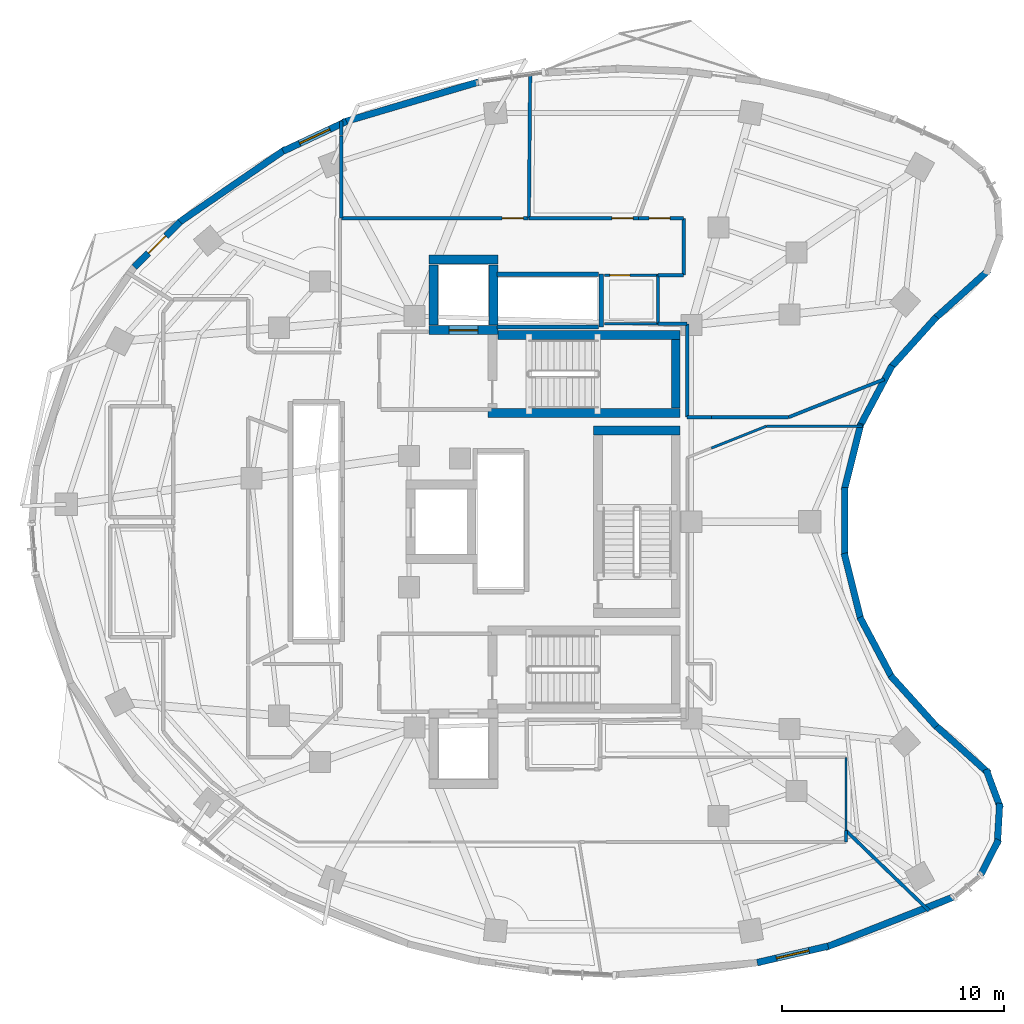
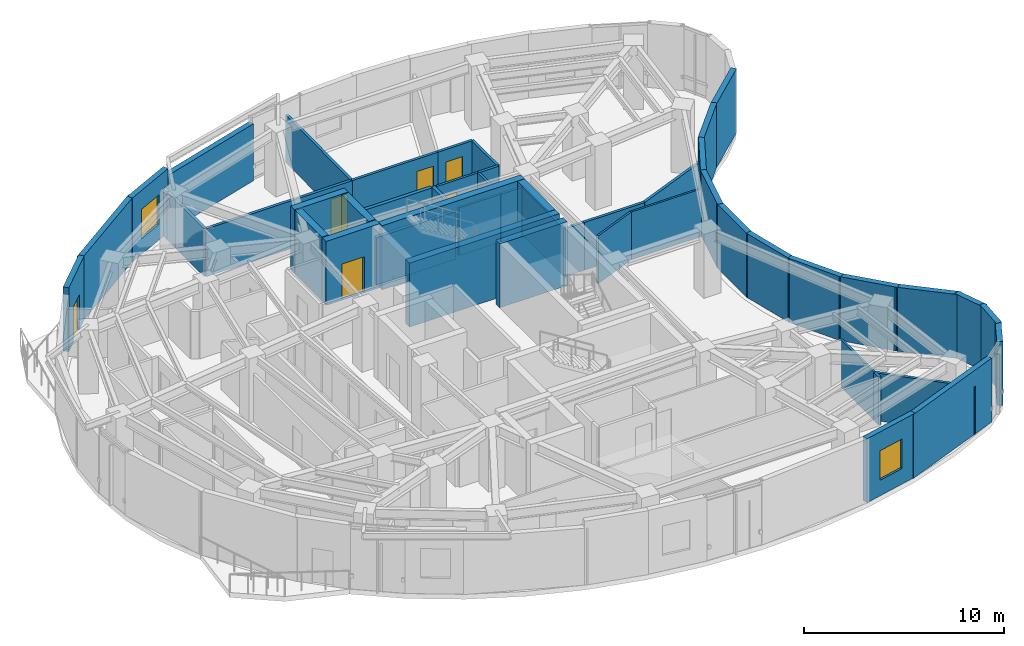
# One storey, part 9 of 13: 50 walls, 6 doors, 2 windows, 8 openings.
"""IFC4 building model written with IfcOpenShell, lengths in metres."""

from ifc_helpers import new_model, si_unit, direction, frame, frame_2d, origin, place, context, subcontext, project, spatial, rectangle, extrude, material, layer, layer_set, type_object, element, fill, save


model = new_model("IFC4")

# Units and contexts
model_context = context("Model", 3, precision=1e-05, world=origin(), true_north=direction((0.0, 1.0)))
body_context = subcontext(model_context, "Body", "Model", "MODEL_VIEW")
ifc_project = project(units=[si_unit("LENGTHUNIT", "METRE"), si_unit("AREAUNIT", "SQUARE_METRE"), si_unit("VOLUMEUNIT", "CUBIC_METRE"), si_unit("PLANEANGLEUNIT", "RADIAN"), si_unit("MASSUNIT", "GRAM", prefix="KILO")], contexts=[model_context])

# Site, building, storey
site_placement = place(None, origin())
site = spatial("IfcSite", under=ifc_project, at=site_placement, CompositionType="ELEMENT")
building_placement = place(site_placement, origin())
building = spatial("IfcBuilding", under=site, at=building_placement, Name="Korentha Bioscience Tower", CompositionType="ELEMENT")
storey_placement = place(building_placement, frame((0.0, 0.0, 183.60009765625)))
storey = spatial("IfcBuildingStorey", under=building, at=storey_placement, Name="L42", CompositionType="ELEMENT", Elevation=183.60009765625)

# Wall, opening, door
ifc_material_1 = material(Name="Double-Stud Acoustic Gypsum", Category="gypsum")
ifc_layer_1 = layer(ifc_material_1, 0.14990234375, Name="Double-Stud Acoustic Gypsum")
ifc_layer_set_1 = layer_set([ifc_layer_1], Name="Double-Stud Acoustic Gypsum (IW-L150)")
wall_type_1 = type_object("IfcWallType", Name="Acoustic Laboratory Partition Wall 150", PredefinedType="PARTITIONING", material=ifc_layer_set_1)
wall_1_placement = place(storey_placement, frame((37.199951171875, 40.659912109375, 0.0), z_axis=(0.0, 0.0, 1.0), x_axis=(-1.0, 0.0, 0.0)))
wall_1 = element("IfcWall", 1, at=wall_1_placement, inside=storey, type_object=wall_type_1, Name="L42 Peer-Review Conference Room 06 Entrance Wall", PredefinedType="PARTITIONING", context=body_context, shape_type="SweptSolid", body=[
    extrude(rectangle(XDim=2.0244140625, YDim=0.14990234375, at=frame_2d((1.01220703125, 0.0))), origin(), (0.0, 0.0, 1.0), 2.909912109375),
])
opening_1_placement = place(wall_1_placement, frame((0.6044921875, 0.0, 0.0)))
opening_1 = element("IfcOpeningElement", 2, at=opening_1_placement, cuts=wall_1, Name="Opening ID-10R", PredefinedType="OPENING", context=body_context, shape_type="SweptSolid", body=[
    extrude(rectangle(XDim=0.949951171875, YDim=2.14990234375, at=frame_2d((0.47509765625, 1.074951171875))), frame((0.0, 0.08984375, 0.0), z_axis=(0.0, -1.0, 0.0), x_axis=(1.0, 0.0, 0.0)), (0.0, 0.0, 1.0), 0.1796875),
])
ifc_material_2 = material(Name="Phenolic Laminate Timber Core", Category="wood")
door_type_1 = type_object("IfcDoorType", Name="Laboratory Single Leaf Door 950x2150 Right", OperationType="SINGLE_SWING_RIGHT", PredefinedType="DOOR", material=ifc_material_2)
door_1_placement = place(opening_1_placement, origin())
door_1 = element("IfcDoor", 3, at=door_1_placement, inside=storey, type_object=door_type_1, Name="L42 Peer-Review Conference Room 06 Door", OperationType="SINGLE_SWING_RIGHT", OverallHeight=2.14990234375, OverallWidth=0.949951171875, PredefinedType="DOOR", context=body_context, shape_type="SweptSolid", body=[
    extrude(rectangle(XDim=0.949951171875, YDim=2.14990234375, at=frame_2d((0.47509765625, 1.074951171875))), frame((0.0, 0.02490234375, 0.0), z_axis=(0.0, -1.0, 0.0), x_axis=(1.0, 0.0, 0.0)), (0.0, 0.0, 1.0), 0.050048828125),
])
fill(opening_1, door_1)

wall_2_placement = place(storey_placement, frame((35.16552734375, 40.659912109375, 0.0), z_axis=(0.0, 0.0, 1.0), x_axis=(-1.0, 0.0, 0.0)))
wall_2 = element("IfcWall", 4, at=wall_2_placement, inside=storey, type_object=wall_type_1, Name="L42 Staff Tea and Espresso Break Lounge 07 Entrance Wall", PredefinedType="PARTITIONING", context=body_context, shape_type="SweptSolid", body=[
    extrude(rectangle(XDim=4.923828125, YDim=0.14990234375, at=frame_2d((2.4619140625, 0.0))), origin(), (0.0, 0.0, 1.0), 2.909912109375),
])
opening_2_placement = place(wall_2_placement, frame((0.239990234375, 0.0, 0.0)))
opening_2 = element("IfcOpeningElement", 5, at=opening_2_placement, cuts=wall_2, Name="Opening ID-10L", PredefinedType="OPENING", context=body_context, shape_type="SweptSolid", body=[
    extrude(rectangle(XDim=0.949951171875, YDim=2.14990234375, at=frame_2d((0.47509765625, 1.074951171875))), frame((0.0, 0.08984375, 0.0), z_axis=(0.0, -1.0, 0.0), x_axis=(1.0, 0.0, 0.0)), (0.0, 0.0, 1.0), 0.1796875),
])
door_type_2 = type_object("IfcDoorType", Name="Laboratory Single Leaf Door 950x2150 Left", OperationType="SINGLE_SWING_LEFT", PredefinedType="DOOR", material=ifc_material_2)
door_2_placement = place(opening_2_placement, origin())
door_2 = element("IfcDoor", 6, at=door_2_placement, inside=storey, type_object=door_type_2, Name="L42 Staff Tea and Espresso Break Lounge 07 Door", OperationType="SINGLE_SWING_LEFT", OverallHeight=2.14990234375, OverallWidth=0.949951171875, PredefinedType="DOOR", context=body_context, shape_type="SweptSolid", body=[
    extrude(rectangle(XDim=0.949951171875, YDim=2.14990234375, at=frame_2d((0.47509765625, 1.074951171875))), frame((0.0, 0.02490234375, 0.0), z_axis=(0.0, -1.0, 0.0), x_axis=(1.0, 0.0, 0.0)), (0.0, 0.0, 1.0), 0.050048828125),
])
fill(opening_2, door_2)

# Walls
wall_3_placement = place(storey_placement, frame((44.510009765625, 12.60009765625, 0.0), z_axis=(0.0, 0.0, 1.0), x_axis=(0.0, 1.0, 0.0)))
element("IfcWall", 7, at=wall_3_placement, inside=storey, type_object=wall_type_1, Name="L42 Interior Partition 047", PredefinedType="PARTITIONING", context=body_context, shape_type="SweptSolid", body=[
    extrude(rectangle(XDim=0.501220703125, YDim=0.14990234375, at=frame_2d((0.25048828125, 0.0))), origin(), (0.0, 0.0, 1.0), 2.909912109375),
])
wall_4_placement = place(storey_placement, frame((44.510009765625, 13.101318359375, 0.0), z_axis=(0.0, 0.0, 1.0), x_axis=(0.719339776069, -0.694658395591, 0.0)))
element("IfcWall", 8, at=wall_4_placement, inside=storey, type_object=wall_type_1, Name="L42 Interior Partition 048", PredefinedType="PARTITIONING", context=body_context, shape_type="SweptSolid", body=[
    extrude(rectangle(XDim=5.183349609375, YDim=0.14990234375, at=frame_2d((2.591796875, 0.0))), origin(), (0.0, 0.0, 1.0), 2.909912109375),
])
wall_5_placement = place(storey_placement, frame((46.22900390625, 33.41259765625, 0.0), z_axis=(0.0, 0.0, 1.0), x_axis=(-0.929137617747, -0.369734076448, 0.0)))
element("IfcWall", 9, at=wall_5_placement, inside=storey, type_object=wall_type_1, Name="L42 Interior Partition 059", PredefinedType="PARTITIONING", context=body_context, shape_type="SweptSolid", body=[
    extrude(rectangle(XDim=4.626220703125, YDim=0.14990234375, at=frame_2d((2.31298828125, 0.0))), origin(), (0.0, 0.0, 1.0), 2.909912109375),
])
wall_6_placement = place(storey_placement, frame((41.930419921875, 31.701904296875, 0.0), z_axis=(0.0, 0.0, 1.0), x_axis=(-1.0, 0.0, 0.0)))
element("IfcWall", 10, at=wall_6_placement, inside=storey, type_object=wall_type_1, Name="L42 Interior Partition 060", PredefinedType="PARTITIONING", context=body_context, shape_type="SweptSolid", body=[
    extrude(rectangle(XDim=3.478271484375, YDim=0.14990234375, at=frame_2d((1.7392578125, 0.0))), origin(), (0.0, 0.0, 1.0), 2.909912109375),
])
wall_7_placement = place(storey_placement, frame((38.44775390625, 31.701904296875, 0.0), z_axis=(0.0, 0.0, 1.0), x_axis=(-1.0, 0.0, 0.0)))
element("IfcWall", 11, at=wall_7_placement, inside=storey, type_object=wall_type_1, Name="L42 Interior Partition 061", PredefinedType="PARTITIONING", context=body_context, shape_type="SweptSolid", body=[
    extrude(rectangle(XDim=1.087646484375, YDim=0.14990234375, at=frame_2d((0.5439453125, 0.0))), origin(), (0.0, 0.0, 1.0), 2.909912109375),
])
wall_8_placement = place(storey_placement, frame((37.360107421875, 31.701904296875, 0.0), z_axis=(0.0, 0.0, 1.0), x_axis=(0.0, 1.0, 0.0)))
element("IfcWall", 12, at=wall_8_placement, inside=storey, type_object=wall_type_1, Name="L42 Interior Partition 062", PredefinedType="PARTITIONING", context=body_context, shape_type="SweptSolid", body=[
    extrude(rectangle(XDim=4.197998046875, YDim=0.14990234375, at=frame_2d((2.09912109375, 0.0))), origin(), (0.0, 0.0, 1.0), 2.909912109375),
])
wall_9_placement = place(storey_placement, frame((37.35009765625, 35.909912109375, 0.0), z_axis=(0.0, 0.0, 1.0), x_axis=(-1.0, 0.0, 0.0)))
element("IfcWall", 13, at=wall_9_placement, inside=storey, type_object=wall_type_1, Name="L42 Interior Partition 063", PredefinedType="PARTITIONING", context=body_context, shape_type="SweptSolid", body=[
    extrude(rectangle(XDim=1.2900390625, YDim=0.14990234375, at=frame_2d((0.64501953125, 0.0))), origin(), (0.0, 0.0, 1.0), 2.909912109375),
])
wall_10_placement = place(storey_placement, frame((36.06005859375, 38.090087890625, 0.0), z_axis=(0.0, 0.0, 1.0), x_axis=(1.0, 0.0, 0.0)))
element("IfcWall", 14, at=wall_10_placement, inside=storey, type_object=wall_type_1, Name="L42 Interior Partition 064", PredefinedType="PARTITIONING", context=body_context, shape_type="SweptSolid", body=[
    extrude(rectangle(XDim=1.139892578125, YDim=0.14990234375, at=frame_2d((0.56982421875, 0.0))), origin(), (0.0, 0.0, 1.0), 2.909912109375),
])
wall_11_placement = place(storey_placement, frame((37.2099609375, 38.10009765625, 0.0), z_axis=(0.0, 0.0, 1.0), x_axis=(0.0, 1.0, 0.0)))
element("IfcWall", 15, at=wall_11_placement, inside=storey, type_object=wall_type_1, Name="L42 Interior Partition 065", PredefinedType="PARTITIONING", context=body_context, shape_type="SweptSolid", body=[
    extrude(rectangle(XDim=2.5498046875, YDim=0.14990234375, at=frame_2d((1.27490234375, 0.0))), origin(), (0.0, 0.0, 1.0), 2.909912109375),
])
wall_12_placement = place(storey_placement, frame((30.24169921875, 40.659912109375, 0.0), z_axis=(0.0, 0.0, 1.0), x_axis=(0.008728912263, 0.99996190232, 0.0)))
element("IfcWall", 16, at=wall_12_placement, inside=storey, type_object=wall_type_1, Name="L42 Interior Partition 067", PredefinedType="PARTITIONING", context=body_context, shape_type="SweptSolid", body=[
    extrude(rectangle(XDim=6.57275390625, YDim=0.14990234375, at=frame_2d((3.286376953125, 0.0))), origin(), (0.0, 0.0, 1.0), 2.909912109375),
])
ifc_material_3 = material(Name="Fire-Rated Framed Glass", Category="glass")
ifc_layer_2 = layer(ifc_material_3, 0.110107421875, Name="Fire-Rated Framed Glass")
ifc_layer_set_2 = layer_set([ifc_layer_2], Name="Fire-Rated Framed Glass (IW-G110)")
wall_type_2 = type_object("IfcWallType", Name="Demountable Glazed Office Partition 110", PredefinedType="MOVABLE", material=ifc_layer_set_2)
wall_13_placement = place(storey_placement, frame((38.4521484375, 30.3134765625, 0.0), z_axis=(0.0, 0.0, 1.0), x_axis=(0.929145500672, 0.369714266131, 0.0)))
element("IfcWall", 17, at=wall_13_placement, inside=storey, type_object=wall_type_2, Name="L42 Interior Partition 053", PredefinedType="MOVABLE", context=body_context, shape_type="SweptSolid", body=[
    extrude(rectangle(XDim=2.66259765625, YDim=0.110107421875, at=frame_2d((1.331298828125, 0.0))), origin(), (0.0, 0.0, 1.0), 2.909912109375),
])
wall_14_placement = place(storey_placement, frame((40.926513671875, 31.298095703125, 0.0), z_axis=(0.0, 0.0, 1.0), x_axis=(1.0, 0.0, 0.0)))
element("IfcWall", 18, at=wall_14_placement, inside=storey, type_object=wall_type_2, Name="L42 Interior Partition 054", PredefinedType="MOVABLE", context=body_context, shape_type="SweptSolid", body=[
    extrude(rectangle(XDim=4.334228515625, YDim=0.110107421875, at=frame_2d((2.1669921875, 0.0))), origin(), (0.0, 0.0, 1.0), 2.909912109375),
])
wall_15_placement = place(storey_placement, frame((44.510009765625, 13.111328125, 0.0), z_axis=(0.0, 0.0, 1.0), x_axis=(0.0, 1.0, 0.0)))
element("IfcWall", 19, at=wall_15_placement, inside=storey, type_object=wall_type_2, Name="L42 Interior Partition 055", PredefinedType="MOVABLE", context=body_context, shape_type="SweptSolid", body=[
    extrude(rectangle(XDim=3.28857421875, YDim=0.110107421875, at=frame_2d((1.644287109375, 0.0))), origin(), (0.0, 0.0, 1.0), 2.909912109375),
])

# Wall, opening, door
ifc_material_4 = material(Name="Gypsum-Clad Steel Stud", Category="steel")
ifc_layer_3 = layer(ifc_material_4, 0.159912109375, Name="Gypsum-Clad Steel Stud")
ifc_layer_set_3 = layer_set([ifc_layer_3], Name="Gypsum-Clad Steel Stud (IW-C160)")
wall_type_3 = type_object("IfcWallType", Name="Fire-Rated Corridor Partition Wall 160", PredefinedType="PARTITIONING", material=ifc_layer_set_3)
wall_16_placement = place(storey_placement, frame((30.231689453125, 40.659912109375, 0.0), z_axis=(0.0, 0.0, 1.0), x_axis=(-1.0, 0.0, 0.0)))
wall_16 = element("IfcWall", 20, at=wall_16_placement, inside=storey, type_object=wall_type_3, Name="L42 Consumables Archive Room 08 Entrance Wall", PredefinedType="PARTITIONING", context=body_context, shape_type="SweptSolid", body=[
    extrude(rectangle(XDim=8.4296875, YDim=0.159912109375, at=frame_2d((4.21484375, 0.0))), origin(), (0.0, 0.0, 1.0), 2.909912109375),
])
opening_3_placement = place(wall_16_placement, frame((0.239990234375, 0.0, 0.0)))
opening_3 = element("IfcOpeningElement", 21, at=opening_3_placement, cuts=wall_16, Name="Opening ID-10R", PredefinedType="OPENING", context=body_context, shape_type="SweptSolid", body=[
    extrude(rectangle(XDim=0.949951171875, YDim=2.14990234375, at=frame_2d((0.47509765625, 1.074951171875))), frame((0.0, 0.0947265625, 0.0), z_axis=(0.0, -1.0, 0.0), x_axis=(1.0, 0.0, 0.0)), (0.0, 0.0, 1.0), 0.189697265625),
])
door_3_placement = place(opening_3_placement, origin())
door_3 = element("IfcDoor", 22, at=door_3_placement, inside=storey, type_object=door_type_1, Name="L42 Consumables Archive Room 08 Door", OperationType="SINGLE_SWING_RIGHT", OverallHeight=2.14990234375, OverallWidth=0.949951171875, PredefinedType="DOOR", context=body_context, shape_type="SweptSolid", body=[
    extrude(rectangle(XDim=0.949951171875, YDim=2.14990234375, at=frame_2d((0.47509765625, 1.074951171875))), frame((0.0, 0.02490234375, 0.0), z_axis=(0.0, -1.0, 0.0), x_axis=(1.0, 0.0, 0.0)), (0.0, 0.0, 1.0), 0.050048828125),
])
fill(opening_3, door_3)

# Walls
wall_17_placement = place(storey_placement, frame((21.802001953125, 44.36669921875, 0.0), z_axis=(0.0, 0.0, 1.0), x_axis=(0.0, 1.0, 0.0)))
element("IfcWall", 23, at=wall_17_placement, inside=storey, type_object=wall_type_3, Name="L42 Interior Partition 068", PredefinedType="PARTITIONING", context=body_context, shape_type="SweptSolid", body=[
    extrude(rectangle(XDim=0.662109375, YDim=0.159912109375, at=frame_2d((0.3310546875, 0.0))), origin(), (0.0, 0.0, 1.0), 2.909912109375),
])
wall_18_placement = place(storey_placement, frame((21.802001953125, 40.659912109375, 0.0), z_axis=(0.0, 0.0, 1.0), x_axis=(0.0, 1.0, 0.0)))
element("IfcWall", 24, at=wall_18_placement, inside=storey, type_object=wall_type_3, Name="L42 Interior Partition 069", PredefinedType="PARTITIONING", context=body_context, shape_type="SweptSolid", body=[
    extrude(rectangle(XDim=3.697265625, YDim=0.159912109375, at=frame_2d((1.8486328125, 0.0))), origin(), (0.0, 0.0, 1.0), 2.909912109375),
])

# Wall, opening, window
ifc_material_5 = material(Name="Honed Limestone Precast Concrete C40", Category="masonry")
ifc_layer_4 = layer(ifc_material_5, 0.300048828125, Name="Honed Limestone Precast Concrete C40")
ifc_layer_set_4 = layer_set([ifc_layer_4], Name="Honed Limestone Precast Concrete C40 (EW-ST300)")
wall_type_4 = type_object("IfcWallType", Name="Honed Limestone Cavity Spandrel Wall 300", PredefinedType="STANDARD", material=ifc_layer_set_4)
wall_19_placement = place(storey_placement, frame((22.02978515625, 45.009521484375, 0.0), z_axis=(0.0, 0.0, 1.0), x_axis=(-0.905013842092, -0.425382117186, 0.0)))
wall_19 = element("IfcWall", 25, at=wall_19_placement, inside=storey, type_object=wall_type_4, Name="L42 Honed Limestone Spandrel Wall 10", PredefinedType="STANDARD", context=body_context, shape_type="SweptSolid", body=[
    extrude(rectangle(XDim=3.145751953125, YDim=0.300048828125, at=frame_2d((1.57275390625, 0.0))), origin(), (0.0, 0.0, 1.0), 3.89990234375),
])
opening_4_placement = place(wall_19_placement, frame((0.822998046875, 0.0, 0.949951171875)))
opening_4 = element("IfcOpeningElement", 26, at=opening_4_placement, cuts=wall_19, Name="Opening WN-02", PredefinedType="OPENING", context=body_context, shape_type="SweptSolid", body=[
    extrude(rectangle(XDim=1.5, YDim=1.800048828125, at=frame_2d((0.75, 0.89990234375))), frame((0.0, 0.1650390625, 0.0), z_axis=(0.0, -1.0, 0.0), x_axis=(1.0, 0.0, 0.0)), (0.0, 0.0, 1.0), 0.329833984375),
])
ifc_material_6 = material(Name="Thermally Broken Aluminium Triple Glazing", Category="aluminium")
window_type = type_object("IfcWindowType", Name="Acoustic Operable Office Window 1500x1800", PartitioningType="DOUBLE_PANEL_VERTICAL", PredefinedType="WINDOW", material=ifc_material_6)
window_1_placement = place(opening_4_placement, origin())
window_1 = element("IfcWindow", 27, at=window_1_placement, inside=storey, type_object=window_type, Name="L42 Facade Window 10", OverallHeight=1.800048828125, OverallWidth=1.5, PartitioningType="DOUBLE_PANEL_VERTICAL", PredefinedType="WINDOW", context=body_context, shape_type="SweptSolid", body=[
    extrude(rectangle(XDim=1.5, YDim=1.800048828125, at=frame_2d((0.75, 0.89990234375))), frame((0.0, 0.030029296875, 0.0), z_axis=(0.0, -1.0, 0.0), x_axis=(1.0, 0.0, 0.0)), (0.0, 0.0, 1.0), 0.06005859375),
])
fill(opening_4, window_1)

# Wall, opening, door
wall_20_placement = place(storey_placement, frame((14.545654296875, 40.488525390625, 0.0), z_axis=(0.0, 0.0, 1.0), x_axis=(-0.711442799636, -0.70274400947, 0.0)))
wall_20 = element("IfcWall", 28, at=wall_20_placement, inside=storey, type_object=wall_type_4, Name="L42 Balcony Threshold Wall 02", PredefinedType="STANDARD", context=body_context, shape_type="SweptSolid", body=[
    extrude(rectangle(XDim=2.890869140625, YDim=0.300048828125, at=frame_2d((1.4453125, 0.0))), origin(), (0.0, 0.0, 1.0), 3.89990234375),
])
opening_5_placement = place(wall_20_placement, frame((0.8955078125, 0.0, 0.0)))
opening_5 = element("IfcOpeningElement", 29, at=opening_5_placement, cuts=wall_20, Name="Opening BD-11R", PredefinedType="OPENING", context=body_context, shape_type="SweptSolid", body=[
    extrude(rectangle(XDim=1.10009765625, YDim=2.14990234375, at=frame_2d((0.550048828125, 1.074951171875))), frame((0.0, 0.1650390625, 0.0), z_axis=(0.0, -1.0, 0.0), x_axis=(1.0, 0.0, 0.0)), (0.0, 0.0, 1.0), 0.329833984375),
])
ifc_material_7 = material(Name="Thermally Broken Glazed Aluminium", Category="aluminium")
door_type_3 = type_object("IfcDoorType", Name="Balcony Terrace Glazed Door 1100x2150 Right", OperationType="SINGLE_SWING_RIGHT", PredefinedType="DOOR", material=ifc_material_7)
door_4_placement = place(opening_5_placement, origin())
door_4 = element("IfcDoor", 30, at=door_4_placement, inside=storey, type_object=door_type_3, Name="L42 Balcony Access Door 02", OperationType="SINGLE_SWING_RIGHT", OverallHeight=2.14990234375, OverallWidth=1.10009765625, PredefinedType="DOOR", context=body_context, shape_type="SweptSolid", body=[
    extrude(rectangle(XDim=1.10009765625, YDim=2.14990234375, at=frame_2d((0.550048828125, 1.074951171875))), frame((0.0, 0.02490234375, 0.0), z_axis=(0.0, -1.0, 0.0), x_axis=(1.0, 0.0, 0.0)), (0.0, 0.0, 1.0), 0.050048828125),
])
fill(opening_5, door_4)

# Wall, opening, window
wall_21_placement = place(storey_placement, frame((40.513671875, 7.163818359375, 0.0), z_axis=(0.0, 0.0, 1.0), x_axis=(0.974182179996, 0.225763327799, 0.0)))
wall_21 = element("IfcWall", 31, at=wall_21_placement, inside=storey, type_object=wall_type_4, Name="L42 Honed Limestone Spandrel Wall 34", PredefinedType="STANDARD", context=body_context, shape_type="SweptSolid", body=[
    extrude(rectangle(XDim=3.2744140625, YDim=0.300048828125, at=frame_2d((1.63720703125, 0.0))), origin(), (0.0, 0.0, 1.0), 3.89990234375),
])
opening_6_placement = place(wall_21_placement, frame((0.88720703125, 0.0, 0.949951171875)))
opening_6 = element("IfcOpeningElement", 32, at=opening_6_placement, cuts=wall_21, Name="Opening WN-02", PredefinedType="OPENING", context=body_context, shape_type="SweptSolid", body=[
    extrude(rectangle(XDim=1.5, YDim=1.800048828125, at=frame_2d((0.75, 0.89990234375))), frame((0.0, 0.1650390625, 0.0), z_axis=(0.0, -1.0, 0.0), x_axis=(1.0, 0.0, 0.0)), (0.0, 0.0, 1.0), 0.329833984375),
])
window_2_placement = place(opening_6_placement, origin())
window_2 = element("IfcWindow", 33, at=window_2_placement, inside=storey, type_object=window_type, Name="L42 Facade Window 34", OverallHeight=1.800048828125, OverallWidth=1.5, PartitioningType="DOUBLE_PANEL_VERTICAL", PredefinedType="WINDOW", context=body_context, shape_type="SweptSolid", body=[
    extrude(rectangle(XDim=1.5, YDim=1.800048828125, at=frame_2d((0.75, 0.89990234375))), frame((0.0, 0.030029296875, 0.0), z_axis=(0.0, -1.0, 0.0), x_axis=(1.0, 0.0, 0.0)), (0.0, 0.0, 1.0), 0.06005859375),
])
fill(opening_6, window_2)

# Walls
wall_22_placement = place(storey_placement, frame((28.001708984375, 46.791259765625, 0.0), z_axis=(0.0, 0.0, 1.0), x_axis=(-0.958672086524, -0.284513322218, 0.0)))
element("IfcWall", 34, at=wall_22_placement, inside=storey, type_object=wall_type_4, Name="L42 Limestone Perimeter Closure Wall 08", PredefinedType="STANDARD", context=body_context, shape_type="SweptSolid", body=[
    extrude(rectangle(XDim=6.3955078125, YDim=0.300048828125, at=frame_2d((3.19775390625, 0.0))), origin(), (0.0, 0.0, 1.0), 3.469970703125),
])
wall_23_placement = place(storey_placement, frame((19.314208984375, 43.771484375, 0.0), z_axis=(0.0, 0.0, 1.0), x_axis=(-0.824341970472, -0.566092144194, 0.0)))
element("IfcWall", 35, at=wall_23_placement, inside=storey, type_object=wall_type_4, Name="L42 Limestone Perimeter Closure Wall 11", PredefinedType="STANDARD", context=body_context, shape_type="SweptSolid", body=[
    extrude(rectangle(XDim=5.956787109375, YDim=0.300048828125, at=frame_2d((2.978515625, 0.0))), origin(), (0.0, 0.0, 1.0), 3.89990234375),
])
wall_24_placement = place(storey_placement, frame((43.5556640625, 7.834716796875, 0.0), z_axis=(0.0, 0.0, 1.0), x_axis=(0.930552726132, 0.366157922062, 0.0)))
element("IfcWall", 36, at=wall_24_placement, inside=storey, type_object=wall_type_4, Name="L42 Limestone Perimeter Closure Wall 35", PredefinedType="STANDARD", context=body_context, shape_type="SweptSolid", body=[
    extrude(rectangle(XDim=6.28955078125, YDim=0.300048828125, at=frame_2d((3.144775390625, 0.0))), origin(), (0.0, 0.0, 1.0), 3.89990234375),
])
for number, where, z_axis, x_axis, name in (
    (37, (50.533935546875, 11.041259765625, 0.0), (0.0, 0.0, 1.0), (0.454214122486, 0.890892547356, 0.0), "L42 Limestone Perimeter Closure Wall 38"),
    (38, (51.319091796875, 12.484375, 0.0), (0.0, 0.0, 1.0), (0.057485341891, 0.998346350455, 0.0), "L42 Limestone Perimeter Closure Wall 39"),
    (39, (51.45751953125, 14.121337890625, 0.0), (0.0, 0.0, 1.0), (-0.348984166898, 0.937128620443, 0.0), "L42 Limestone Perimeter Closure Wall 40"),
):
    element("IfcWall", number, at=place(storey_placement, frame(where, z_axis=z_axis, x_axis=x_axis)), inside=storey, type_object=wall_type_4, Name=name, PredefinedType="STANDARD", context=body_context, shape_type="SweptSolid", body=[
        extrude(rectangle(XDim=1.851806640625, YDim=0.300048828125, at=frame_2d((0.92578125, 0.0))), origin(), (0.0, 0.0, 1.0), 3.89990234375),
    ])
wall_25_placement = place(storey_placement, frame((50.936279296875, 15.6728515625, 0.0), z_axis=(0.0, 0.0, 1.0), x_axis=(-0.743341827472, 0.668911748687, 0.0)))
element("IfcWall", 40, at=wall_25_placement, inside=storey, type_object=wall_type_4, Name="L42 Limestone Perimeter Closure Wall 41", PredefinedType="STANDARD", context=body_context, shape_type="SweptSolid", body=[
    extrude(rectangle(XDim=3.3095703125, YDim=0.300048828125, at=frame_2d((1.65478515625, 0.0))), origin(), (0.0, 0.0, 1.0), 3.89990234375),
])
for number, where, z_axis, x_axis, name in (
    (41, (48.57861328125, 17.7841796875, 0.0), (0.0, 0.0, 1.0), (-0.669165704933, 0.743113221079, 0.0), "L42 Limestone Perimeter Closure Wall 43"),
    (42, (46.58447265625, 19.975830078125, 0.0), (0.0, 0.0, 1.0), (-0.469471310295, 0.882947727111, 0.0), "L42 Limestone Perimeter Closure Wall 45"),
    (43, (45.179931640625, 22.585205078125, 0.0), (0.0, 0.0, 1.0), (-0.241940068914, 0.970291194979, 0.0), "L42 Limestone Perimeter Closure Wall 47"),
    (44, (44.448486328125, 25.45654296875, 0.0), (0.0, 0.0, 1.0), (0.0, 1.0, 0.0), "L42 Limestone Perimeter Closure Wall 49"),
    (45, (44.43310546875, 28.419677734375, 0.0), (0.0, 0.0, 1.0), (0.241940068914, 0.970291194979, 0.0), "L42 Limestone Perimeter Closure Wall 51"),
    (46, (45.13525390625, 31.298583984375, 0.0), (0.0, 0.0, 1.0), (0.469471310295, 0.882947727111, 0.0), "L42 Limestone Perimeter Closure Wall 53"),
    (47, (46.512939453125, 33.921875, 0.0), (0.0, 0.0, 1.0), (0.669165704933, 0.743113221079, 0.0), "L42 Limestone Perimeter Closure Wall 55"),
):
    element("IfcWall", number, at=place(storey_placement, frame(where, z_axis=z_axis, x_axis=x_axis)), inside=storey, type_object=wall_type_4, Name=name, PredefinedType="STANDARD", context=body_context, shape_type="SweptSolid", body=[
        extrude(rectangle(XDim=3.0869140625, YDim=0.300048828125, at=frame_2d((1.54345703125, 0.0))), origin(), (0.0, 0.0, 1.0), 3.89990234375),
    ])
wall_26_placement = place(storey_placement, frame((48.47607421875, 36.11328125, 0.0), z_axis=(0.0, 0.0, 1.0), x_axis=(0.743341827472, 0.668911748687, 0.0)))
element("IfcWall", 48, at=wall_26_placement, inside=storey, type_object=wall_type_4, Name="L42 Limestone Perimeter Closure Wall 57", PredefinedType="STANDARD", context=body_context, shape_type="SweptSolid", body=[
    extrude(rectangle(XDim=3.3095703125, YDim=0.300048828125, at=frame_2d((1.65478515625, 0.0))), origin(), (0.0, 0.0, 1.0), 3.89990234375),
])
ifc_material_8 = material(Name="Autoclaved Aerated Concrete Block C25", Category="concrete")
ifc_layer_5 = layer(ifc_material_8, 0.199951171875, Name="Autoclaved Aerated Concrete Block C25")
ifc_layer_set_5 = layer_set([ifc_layer_5], Name="Autoclaved Aerated Concrete Block C25 (IW-S200)")
wall_type_5 = type_object("IfcWallType", Name="Lift and Riser Shaft Enclosure Wall 200", PredefinedType="PARTITIONING", material=ifc_layer_set_5)
wall_27_placement = place(storey_placement, frame((33.489990234375, 35.760009765625, 0.0), z_axis=(0.0, 0.0, 1.0), x_axis=(0.0, 1.0, 0.0)))
element("IfcWall", 49, at=wall_27_placement, inside=storey, type_object=wall_type_5, Name="L42 Lift Bank OBS Shaft Wall +X", PredefinedType="PARTITIONING", context=body_context, shape_type="SweptSolid", body=[
    extrude(rectangle(XDim=2.3798828125, YDim=0.199951171875, at=frame_2d((1.18994140625, 0.0))), origin(), (0.0, 0.0, 1.0), 2.909912109375),
])
for number, where, z_axis, x_axis, name in (
    (50, (28.800048828125, 35.760009765625, 0.0), (0.0, 0.0, 1.0), (1.0, 0.0, 0.0), "L42 Lift Bank OBS Shaft Wall -Y"),
    (51, (28.800048828125, 38.139892578125, 0.0), (0.0, 0.0, 1.0), (1.0, 0.0, 0.0), "L42 Lift Bank OBS Shaft Wall +Y"),
):
    element("IfcWall", number, at=place(storey_placement, frame(where, z_axis=z_axis, x_axis=x_axis)), inside=storey, type_object=wall_type_5, Name=name, PredefinedType="PARTITIONING", context=body_context, shape_type="SweptSolid", body=[
        extrude(rectangle(XDim=4.570068359375, YDim=0.199951171875, at=frame_2d((2.28515625, 0.0))), origin(), (0.0, 0.0, 1.0), 2.909912109375),
    ])
ifc_material_9 = material(Name="Concrete C65", Category="concrete")
ifc_layer_6 = layer(ifc_material_9, 0.39990234375, Name="Concrete C65")
ifc_layer_set_6 = layer_set([ifc_layer_6], Name="Concrete C65 (CW-C65)")
wall_type_6 = type_object("IfcWallType", Name="Mid-Rise Core Shear Wall 400", PredefinedType="SHEAR", material=ifc_layer_set_6)
wall_28_placement = place(storey_placement, frame((28.85205078125, 35.39990234375, 0.0), z_axis=(0.0, 0.0, 1.0), x_axis=(1.0, 0.0, 0.0)))
element("IfcWall", 52, at=wall_28_placement, inside=storey, type_object=wall_type_6, Name="L42 Core Shear Wall ST1-N", PredefinedType="SHEAR", context=body_context, shape_type="SweptSolid", body=[
    extrude(rectangle(XDim=8.197998046875, YDim=0.39990234375, at=frame_2d((4.09912109375, 0.0))), origin(), (0.0, 0.0, 1.0), 3.89990234375),
])
wall_29_placement = place(storey_placement, frame((28.39990234375, 31.89990234375, 0.0), z_axis=(0.0, 0.0, 1.0), x_axis=(1.0, 0.0, 0.0)))
element("IfcWall", 53, at=wall_29_placement, inside=storey, type_object=wall_type_6, Name="L42 Core Shear Wall ST1-S", PredefinedType="SHEAR", context=body_context, shape_type="SweptSolid", body=[
    extrude(rectangle(XDim=8.650146484375, YDim=0.39990234375, at=frame_2d((4.3251953125, 0.0))), origin(), (0.0, 0.0, 1.0), 3.89990234375),
])
wall_30_placement = place(storey_placement, frame((36.85009765625, 32.110107421875, 0.0), z_axis=(0.0, 0.0, 1.0), x_axis=(0.0, 1.0, 0.0)))
element("IfcWall", 54, at=wall_30_placement, inside=storey, type_object=wall_type_6, Name="L42 Core Shear Wall ST1-E", PredefinedType="SHEAR", context=body_context, shape_type="SweptSolid", body=[
    extrude(rectangle(XDim=3.079833984375, YDim=0.39990234375, at=frame_2d((1.5400390625, 0.0))), origin(), (0.0, 0.0, 1.0), 3.89990234375),
])
wall_31_placement = place(storey_placement, frame((33.14990234375, 31.10009765625, 0.0), z_axis=(0.0, 0.0, 1.0), x_axis=(1.0, 0.0, 0.0)))
element("IfcWall", 55, at=wall_31_placement, inside=storey, type_object=wall_type_6, Name="L42 Core Shear Wall ST3-N", PredefinedType="SHEAR", context=body_context, shape_type="SweptSolid", body=[
    extrude(rectangle(XDim=3.900146484375, YDim=0.39990234375, at=frame_2d((1.9501953125, 0.0))), origin(), (0.0, 0.0, 1.0), 3.89990234375),
])
wall_32_placement = place(storey_placement, frame((25.75, 38.800048828125, 0.0), z_axis=(0.0, 0.0, 1.0), x_axis=(1.0, 0.0, 0.0)))
element("IfcWall", 56, at=wall_32_placement, inside=storey, type_object=wall_type_6, Name="L42 Core Shear Wall FFL2-N", PredefinedType="SHEAR", context=body_context, shape_type="SweptSolid", body=[
    extrude(rectangle(XDim=3.10009765625, YDim=0.39990234375, at=frame_2d((1.550048828125, 0.0))), origin(), (0.0, 0.0, 1.0), 3.89990234375),
])

# Wall, opening, door
wall_33_placement = place(storey_placement, frame((25.75, 35.6201171875, 0.0), z_axis=(0.0, 0.0, 1.0), x_axis=(1.0, 0.0, 0.0)))
wall_33 = element("IfcWall", 57, at=wall_33_placement, inside=storey, type_object=wall_type_6, Name="L42 Core Shear Wall FFL2-S", PredefinedType="SHEAR", context=body_context, shape_type="SweptSolid", body=[
    extrude(rectangle(XDim=3.10009765625, YDim=0.39990234375, at=frame_2d((1.550048828125, 0.0))), origin(), (0.0, 0.0, 1.0), 3.89990234375),
])
opening_7_placement = place(wall_33_placement, frame((0.89990234375, 0.0, 0.0)))
opening_7 = element("IfcOpeningElement", 58, at=opening_7_placement, cuts=wall_33, Name="Opening LD-13", PredefinedType="OPENING", context=body_context, shape_type="SweptSolid", body=[
    extrude(rectangle(XDim=1.300048828125, YDim=2.199951171875, at=frame_2d((0.64990234375, 1.10009765625))), frame((0.0, 0.21484375, 0.0), z_axis=(0.0, -1.0, 0.0), x_axis=(1.0, 0.0, 0.0)), (0.0, 0.0, 1.0), 0.4296875),
])
ifc_material_10 = material(Name="Brushed Stainless Steel 316", Category="steel")
door_type_4 = type_object("IfcDoorType", Name="Service & Firefighting Lift Landing Door 1300x2300", OperationType="DOUBLE_DOOR_SLIDING", PredefinedType="DOOR", material=ifc_material_10)
door_5_placement = place(opening_7_placement, origin())
door_5 = element("IfcDoor", 59, at=door_5_placement, inside=storey, type_object=door_type_4, Name="L42 FFL-2 Sliding Lift Landing Door", OperationType="DOUBLE_DOOR_SLIDING", OverallHeight=2.199951171875, OverallWidth=1.300048828125, PredefinedType="DOOR", context=body_context, shape_type="SweptSolid", body=[
    extrude(rectangle(XDim=1.300048828125, YDim=2.199951171875, at=frame_2d((0.64990234375, 1.10009765625))), frame((0.0, 0.02490234375, 0.0), z_axis=(0.0, -1.0, 0.0), x_axis=(1.0, 0.0, 0.0)), (0.0, 0.0, 1.0), 0.050048828125),
])
fill(opening_7, door_5)

# Walls
for number, where, z_axis, x_axis, name in (
    (60, (25.949951171875, 35.860107421875, 0.0), (0.0, 0.0, 1.0), (0.0, 1.0, 0.0), "L42 Core Shear Wall FFL2-W"),
    (61, (28.64990234375, 35.860107421875, 0.0), (0.0, 0.0, 1.0), (0.0, 1.0, 0.0), "L42 Core Shear Wall FFL2-E"),
):
    element("IfcWall", number, at=place(storey_placement, frame(where, z_axis=z_axis, x_axis=x_axis)), inside=storey, type_object=wall_type_6, Name=name, PredefinedType="SHEAR", context=body_context, shape_type="SweptSolid", body=[
        extrude(rectangle(XDim=2.699951171875, YDim=0.39990234375, at=frame_2d((1.35009765625, 0.0))), origin(), (0.0, 0.0, 1.0), 3.89990234375),
    ])

# Wall, opening, door
ifc_material_11 = material(Name="Cement-Board Steel Stud", Category="steel")
ifc_layer_7 = layer(ifc_material_11, 0.1298828125, Name="Cement-Board Steel Stud")
ifc_layer_set_7 = layer_set([ifc_layer_7], Name="Cement-Board Steel Stud (IW-W130)")
wall_type_7 = type_object("IfcWallType", Name="Wet-Area Moisture-Resistant Partition 130", PredefinedType="PARTITIONING", material=ifc_layer_set_7)
wall_34_placement = place(storey_placement, frame((33.64990234375, 38.090087890625, 0.0), z_axis=(0.0, 0.0, 1.0), x_axis=(1.0, 0.0, 0.0)))
wall_34 = element("IfcWall", 62, at=wall_34_placement, inside=storey, type_object=wall_type_7, Name="L42 Accessible Staff WC Entrance Wall", PredefinedType="PARTITIONING", context=body_context, shape_type="SweptSolid", body=[
    extrude(rectangle(XDim=2.400146484375, YDim=0.1298828125, at=frame_2d((1.2001953125, 0.0))), origin(), (0.0, 0.0, 1.0), 2.909912109375),
])
opening_8_placement = place(wall_34_placement, frame((0.239990234375, 0.0, 0.0)))
opening_8 = element("IfcOpeningElement", 63, at=opening_8_placement, cuts=wall_34, Name="Opening ID-09R", PredefinedType="OPENING", context=body_context, shape_type="SweptSolid", body=[
    extrude(rectangle(XDim=0.89990234375, YDim=2.14990234375, at=frame_2d((0.449951171875, 1.074951171875))), frame((0.0, 0.079833984375, 0.0), z_axis=(0.0, -1.0, 0.0), x_axis=(1.0, 0.0, 0.0)), (0.0, 0.0, 1.0), 0.15966796875),
])
ifc_material_12 = material(Name="Moisture-Resistant HPL Leaf", Category="wood")
door_type_5 = type_object("IfcDoorType", Name="Restroom & Accessible WC Door 900x2150 Right", OperationType="SINGLE_SWING_RIGHT", PredefinedType="DOOR", material=ifc_material_12)
door_6_placement = place(opening_8_placement, origin())
door_6 = element("IfcDoor", 64, at=door_6_placement, inside=storey, type_object=door_type_5, Name="L42 Accessible Staff WC Door", OperationType="SINGLE_SWING_RIGHT", OverallHeight=2.14990234375, OverallWidth=0.89990234375, PredefinedType="DOOR", context=body_context, shape_type="SweptSolid", body=[
    extrude(rectangle(XDim=0.89990234375, YDim=2.14990234375, at=frame_2d((0.449951171875, 1.074951171875))), frame((0.0, 0.02490234375, 0.0), z_axis=(0.0, -1.0, 0.0), x_axis=(1.0, 0.0, 0.0)), (0.0, 0.0, 1.0), 0.050048828125),
])
fill(opening_8, door_6)

# Walls
wall_35_placement = place(storey_placement, frame((36.050048828125, 35.909912109375, 0.0), z_axis=(0.0, 0.0, 1.0), x_axis=(-1.0, 0.0, 0.0)))
element("IfcWall", 65, at=wall_35_placement, inside=storey, type_object=wall_type_7, Name="L42 Interior Partition 019", PredefinedType="PARTITIONING", context=body_context, shape_type="SweptSolid", body=[
    extrude(rectangle(XDim=2.400146484375, YDim=0.1298828125, at=frame_2d((1.2001953125, 0.0))), origin(), (0.0, 0.0, 1.0), 2.909912109375),
])
wall_36_placement = place(storey_placement, frame((36.050048828125, 38.090087890625, 0.0), z_axis=(0.0, 0.0, 1.0), x_axis=(0.0, -1.0, 0.0)))
element("IfcWall", 66, at=wall_36_placement, inside=storey, type_object=wall_type_7, Name="L42 Interior Partition 020", PredefinedType="PARTITIONING", context=body_context, shape_type="SweptSolid", body=[
    extrude(rectangle(XDim=2.18017578125, YDim=0.1298828125, at=frame_2d((1.090087890625, 0.0))), origin(), (0.0, 0.0, 1.0), 2.909912109375),
])

save(model, "model.ifc")
